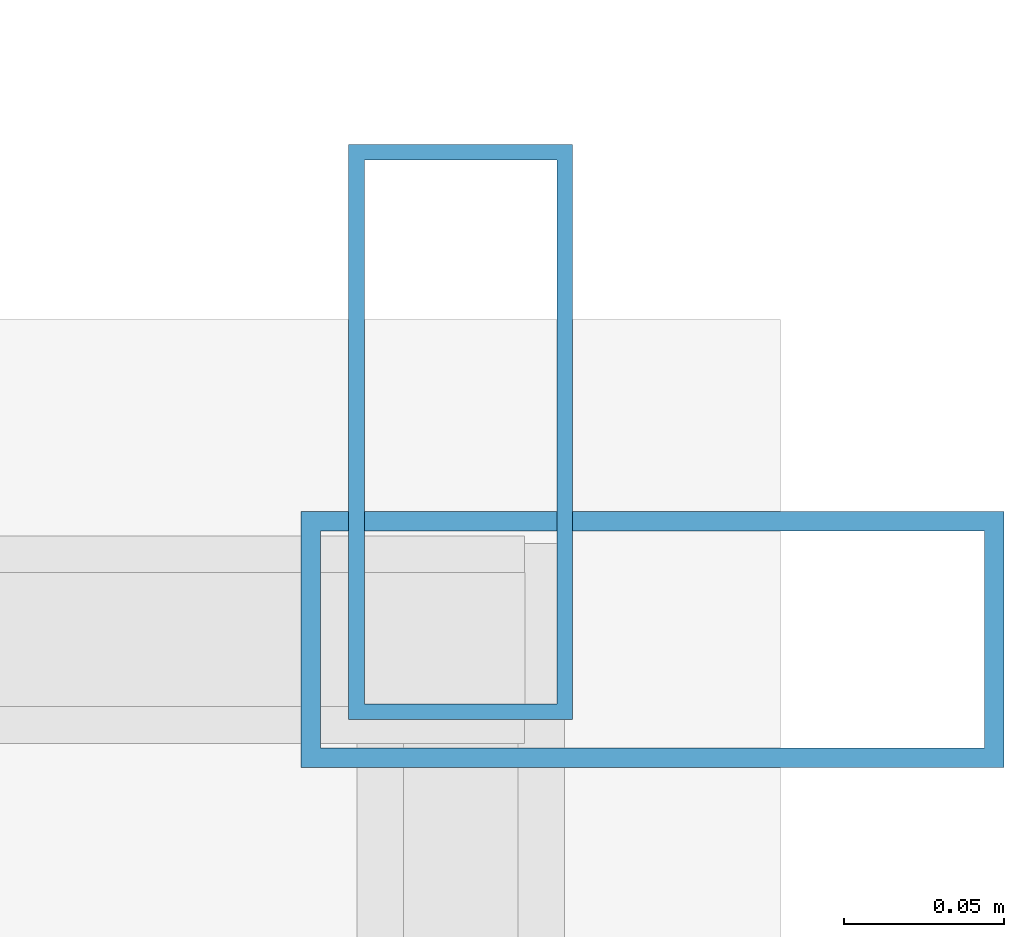
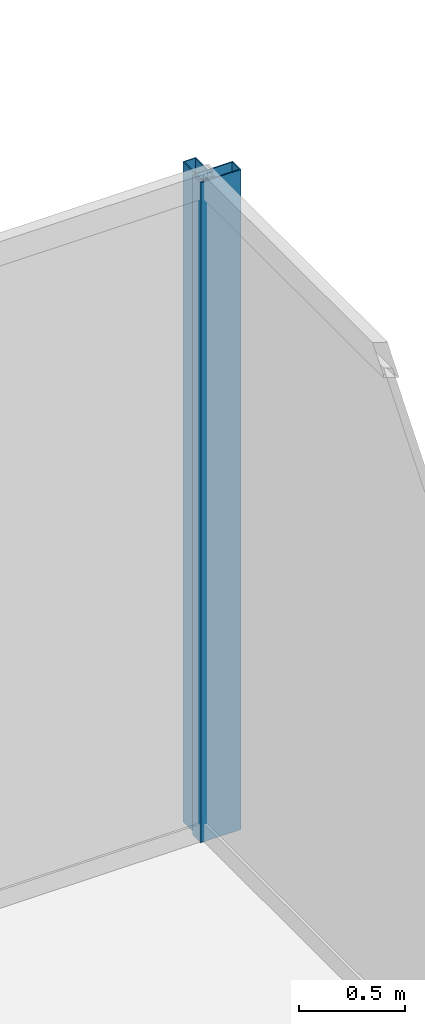
# One storey, part 26 of 33: 2 members, 2 elements without a shape of their own.
"""IFC4 building model written with IfcOpenShell, lengths in metres."""

from ifc_helpers import new_model, si_unit, direction, frame, origin, origin_2d, place, context, subcontext, project, spatial, hollow_rectangle, extrude, source, transform, mapped, material, layer, layer_set, material_profile, profile_set, type_object, type_shapes, element, aggregate, save


model = new_model("IFC4")

# Units and contexts
model_context = context("Model", 3, precision=1e-05, world=origin(), true_north=direction((0.0, 1.0)))
body_context = subcontext(model_context, "Body", "Model", "MODEL_VIEW")
ifc_project = project(units=[si_unit("LENGTHUNIT", "METRE"), si_unit("AREAUNIT", "SQUARE_METRE"), si_unit("VOLUMEUNIT", "CUBIC_METRE"), si_unit("PLANEANGLEUNIT", "RADIAN"), si_unit("MASSUNIT", "GRAM", prefix="KILO")], contexts=[model_context])

# Site, building, storey
site_placement = place(None, origin())
site = spatial("IfcSite", under=ifc_project, at=site_placement, CompositionType="ELEMENT")
building_placement = place(site_placement, origin())
building = spatial("IfcBuilding", under=site, at=building_placement, Name="Haelvirn Gate Laboratories", CompositionType="ELEMENT")
storey_placement = place(building_placement, frame((0.0, 0.0, 209.60009765625)))
storey = spatial("IfcBuildingStorey", under=building, at=storey_placement, Name="L50", CompositionType="ELEMENT", Elevation=209.60009765625)

# Curtain wall, member
ifc_material_1 = material(Name="Anodised bronze unitised aluminium & triple low-E glass", Category="aluminium")
ifc_layer_1 = layer(ifc_material_1, 0.176025390625, Name="CW-SYS-4")
ifc_layer_set_1 = layer_set([ifc_layer_1], Name="Anodised bronze unitised aluminium & triple low-E glass")
curtain_wall_type_1 = type_object("IfcCurtainWallType", Name="CW-SYS-4", PredefinedType="NOTDEFINED", material=ifc_layer_set_1)
curtain_wall_1_placement = place(storey_placement, origin())
curtain_wall_1 = element("IfcCurtainWall", 1, at=curtain_wall_1_placement, inside=storey, type_object=curtain_wall_type_1, Name="L50 Unitised Curtain Wall CW-L50-P0-E07", PredefinedType="NOTDEFINED")
ifc_material_2 = material(Name="Extruded aluminium 6063-T6 (anodised bronze)", Category="aluminium")
ifc_material_profile_1 = material_profile(ifc_material_2, hollow_rectangle(XDim=0.070068359375, YDim=0.179931640625, WallThickness=0.0048828125, at=origin_2d()), Name="CWM-180x70x5")
ifc_profile_set_1 = profile_set([ifc_material_profile_1], Name="Extruded aluminium 6063-T6 (anodised bronze)")
member_type_1 = type_object("IfcMemberType", Name="CWM-T180", PredefinedType="MULLION", material=ifc_profile_set_1)
shared_shape_1 = source(origin(), body_context, "Body", "SweptSolid", [
    extrude(hollow_rectangle(XDim=0.070068359375, YDim=0.179931640625, WallThickness=0.0048828125, at=origin_2d()), origin(), (0.0, 0.0, 1.0), 3.7998046875),
])
type_shapes(member_type_1, [shared_shape_1])
member_1_placement = place(storey_placement, frame((70.699951171875, 42.764892578125, 0.0), z_axis=(0.0, 0.0, 1.0), x_axis=(-1.0, 0.0, 0.0)))
member_1 = element("IfcMember", 2, at=member_1_placement, type_object=member_type_1, Name="CW4 mullion 3", PredefinedType="MULLION", context=body_context, shape_type="MappedRepresentation", body=[
    mapped(shared_shape_1, transform((0.0, 0.0, 0.0), scale=1.0)),
])
aggregate(curtain_wall_1, [member_1])

ifc_layer_2 = layer(ifc_material_1, 0.181884765625, Name="CW-SYS-5")
ifc_layer_set_2 = layer_set([ifc_layer_2], Name="Anodised bronze unitised aluminium & triple low-E glass")
curtain_wall_type_2 = type_object("IfcCurtainWallType", Name="CW-SYS-5", PredefinedType="NOTDEFINED", material=ifc_layer_set_2)
curtain_wall_2_placement = place(storey_placement, origin())
curtain_wall_2 = element("IfcCurtainWall", 3, at=curtain_wall_2_placement, inside=storey, type_object=curtain_wall_type_2, Name="L50 Unitised Curtain Wall CW-L50-P0-E08-1", PredefinedType="NOTDEFINED")
ifc_material_profile_2 = material_profile(ifc_material_2, hollow_rectangle(XDim=0.080078125, YDim=0.219970703125, WallThickness=0.006103515625, at=origin_2d()), Name="CWM-220x80x6")
ifc_profile_set_2 = profile_set([ifc_material_profile_2], Name="Extruded aluminium 6063-T6 (anodised bronze)")
member_type_2 = type_object("IfcMemberType", Name="CWM-T220", PredefinedType="MULLION", material=ifc_profile_set_2)
shared_shape_2 = source(origin(), body_context, "Body", "SweptSolid", [
    extrude(hollow_rectangle(XDim=0.080078125, YDim=0.219970703125, WallThickness=0.006103515625, at=origin_2d()), origin(), (0.0, 0.0, 1.0), 3.7998046875),
])
type_shapes(member_type_2, [shared_shape_2])
member_2_placement = place(storey_placement, frame((70.760009765625, 42.699951171875, 0.0), z_axis=(0.0, 0.0, 1.0), x_axis=(0.0, 1.0, 0.0)))
member_2 = element("IfcMember", 4, at=member_2_placement, type_object=member_type_2, Name="CW5 mullion 2", PredefinedType="MULLION", context=body_context, shape_type="MappedRepresentation", body=[
    mapped(shared_shape_2, transform((0.0, 0.0, 0.0), scale=1.0)),
])
aggregate(curtain_wall_2, [member_2])

save(model, "model.ifc")
